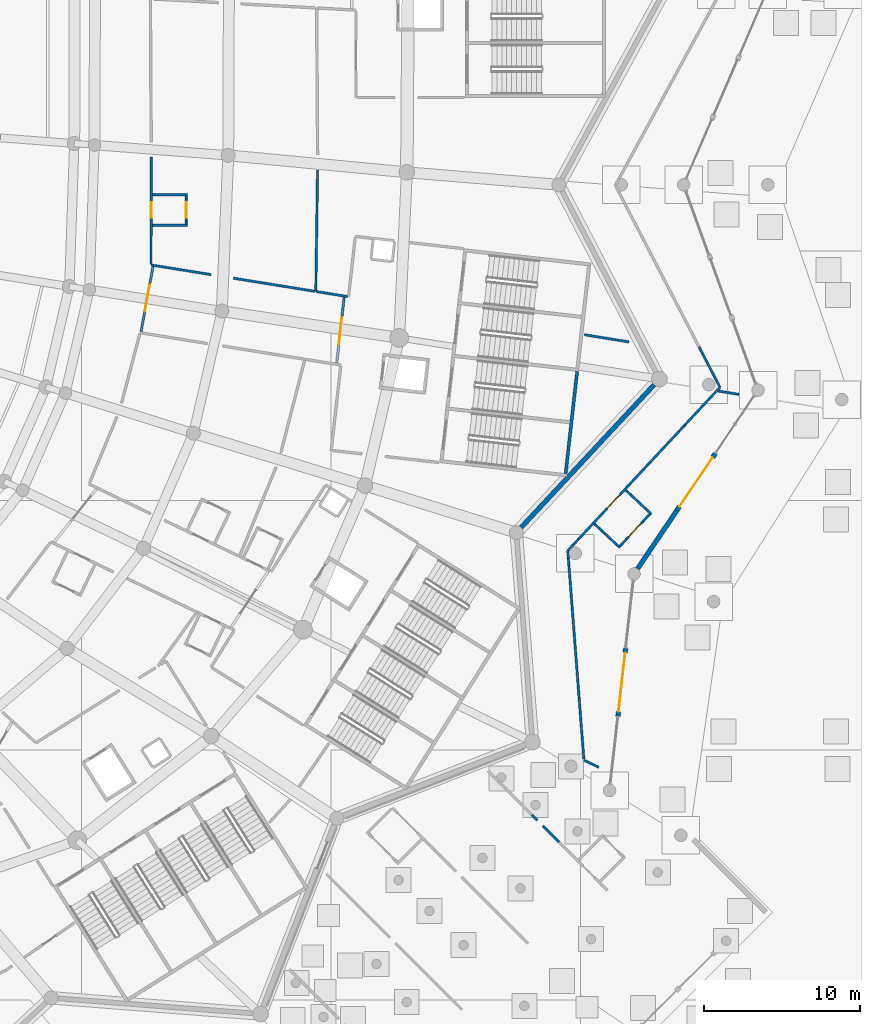
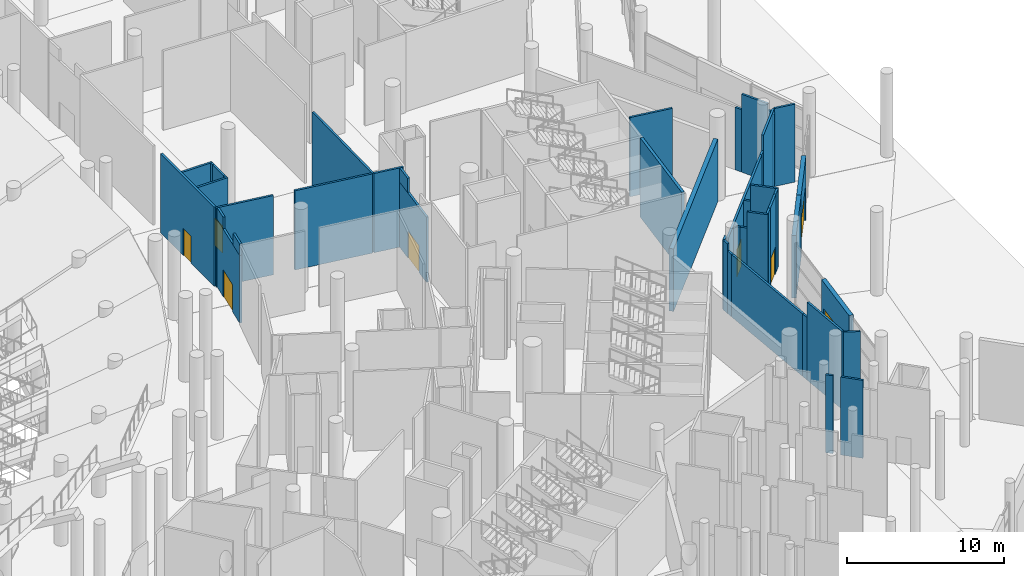
# One storey, part 127 of 255: 47 walls, 8 doors, 8 openings.
"""IFC4 building model written with IfcOpenShell, lengths in metres."""

from ifc_helpers import new_model, si_unit, direction, frame, frame_2d, origin, place, context, subcontext, project, spatial, rectangle, extrude, material, layer, layer_set, type_object, element, fill, save


model = new_model("IFC4")

# Units and contexts
model_context = context("Model", 3, precision=1e-05, world=origin(), true_north=direction((0.0, 1.0)))
body_context = subcontext(model_context, "Body", "Model", "MODEL_VIEW")
ifc_project = project(units=[si_unit("LENGTHUNIT", "METRE"), si_unit("AREAUNIT", "SQUARE_METRE"), si_unit("VOLUMEUNIT", "CUBIC_METRE"), si_unit("PLANEANGLEUNIT", "RADIAN"), si_unit("MASSUNIT", "GRAM", prefix="KILO")], contexts=[model_context])

# Site, building, storey
site_placement = place(None, origin())
site = spatial("IfcSite", under=ifc_project, at=site_placement, CompositionType="ELEMENT")
building_placement = place(site_placement, origin())
building = spatial("IfcBuilding", under=site, at=building_placement, Name="Meseta Stadium", CompositionType="ELEMENT")
storey_placement = place(building_placement, origin())
storey = spatial("IfcBuildingStorey", under=building, at=storey_placement, Name="L00", CompositionType="ELEMENT", Elevation=0.0)

# Walls
ifc_material_1 = material(Name="Concrete C40/50", Category="concrete")
ifc_layer_1 = layer(ifc_material_1, 0.199951171875)
ifc_layer_set_1 = layer_set([ifc_layer_1], Name="Core shaft wall 200")
wall_type_1 = type_object("IfcWallType", Name="Core shaft wall 200", PredefinedType="SHEAR", material=ifc_layer_set_1)
wall_1_placement = place(storey_placement, frame((95.034912109375, -62.267333984375, 0.0), z_axis=(0.0, 0.0, 1.0), x_axis=(0.111933579504, 0.993715690617, 0.0)))
element("IfcWall", 1, at=wall_1_placement, inside=storey, type_object=wall_type_1, Name="Core 01 L00 stair A outer end wall", PredefinedType="SHEAR", context=body_context, shape_type="SweptSolid", body=[
    extrude(rectangle(XDim=6.60009765625, YDim=0.199951171875, at=frame_2d((3.300048828125, 0.0))), origin(), (0.0, 0.0, 1.0), 6.14990234375),
])
ifc_material_2 = material(Name="Masonry blockwork", Category="masonry")
ifc_layer_2 = layer(ifc_material_2, 0.14990234375)
ifc_layer_set_2 = layer_set([ifc_layer_2], Name="Partition 150")
wall_type_2 = type_object("IfcWallType", Name="Partition 150", PredefinedType="PARTITIONING", material=ifc_layer_set_2)
wall_2_placement = place(storey_placement, frame((92.868408203125, -84.140625, 0.0), z_axis=(0.0, 0.0, 1.0), x_axis=(0.707353031131, -0.706860445455, 0.0)))
element("IfcWall", 2, at=wall_2_placement, inside=storey, type_object=wall_type_2, Name="Partition L00 G8-L00-3-EntranceHall-0", PredefinedType="PARTITIONING", context=body_context, shape_type="SweptSolid", body=[
    extrude(rectangle(XDim=0.49560546875, YDim=0.14990234375, at=frame_2d((0.247802734375, 0.0))), origin(), (0.0, 0.0, 1.0), 6.050048828125),
])
wall_3_placement = place(storey_placement, frame((93.58154296875, -84.853515625, 0.0), z_axis=(0.0, 0.0, 1.0), x_axis=(0.707106781187, -0.707106781187, 0.0)))
element("IfcWall", 3, at=wall_3_placement, inside=storey, type_object=wall_type_2, Name="Partition L00 G8-L00-3-EntranceHall-0", PredefinedType="PARTITIONING", context=body_context, shape_type="SweptSolid", body=[
    extrude(rectangle(XDim=1.457763671875, YDim=0.14990234375, at=frame_2d((0.72900390625, 0.0))), origin(), (0.0, 0.0, 1.0), 6.050048828125),
])
wall_4_placement = place(storey_placement, frame((79.130859375, -42.789794921875, 0.0), z_axis=(0.0, 0.0, 1.0), x_axis=(-0.014366063558, -0.999896802784, 0.0)))
element("IfcWall", 4, at=wall_4_placement, inside=storey, type_object=wall_type_2, Name="Partition L00 L00-cell00-1-0", PredefinedType="PARTITIONING", context=body_context, shape_type="SweptSolid", body=[
    extrude(rectangle(XDim=7.80029296875, YDim=0.14990234375, at=frame_2d((3.900146484375, 0.0))), origin(), (0.0, 0.0, 1.0), 6.14990234375),
])
wall_5_placement = place(storey_placement, frame((78.944091796875, -50.577392578125, 0.0), z_axis=(0.0, 0.0, 1.0), x_axis=(-0.987278649512, 0.158999585591, 0.0)))
element("IfcWall", 5, at=wall_5_placement, inside=storey, type_object=wall_type_2, Name="Partition L00 L00-cell00-1-0", PredefinedType="PARTITIONING", context=body_context, shape_type="SweptSolid", body=[
    extrude(rectangle(XDim=5.2744140625, YDim=0.14990234375, at=frame_2d((2.63720703125, 0.0))), origin(), (0.0, 0.0, 1.0), 6.14990234375),
])
wall_6_placement = place(storey_placement, frame((72.29638671875, -49.5068359375, 0.0), z_axis=(0.0, 0.0, 1.0), x_axis=(-0.987278004814, 0.159003588674, 0.0)))
element("IfcWall", 6, at=wall_6_placement, inside=storey, type_object=wall_type_2, Name="Partition L00 L00-cell00-1-0", PredefinedType="PARTITIONING", context=body_context, shape_type="SweptSolid", body=[
    extrude(rectangle(XDim=3.890869140625, YDim=0.14990234375, at=frame_2d((1.9453125, 0.0))), origin(), (0.0, 0.0, 1.0), 6.14990234375),
])

# Wall, opening, door
wall_7_placement = place(storey_placement, frame((68.455078125, -48.81201171875, 0.0), z_axis=(0.0, 0.0, 1.0), x_axis=(0.001928774496, 0.999998139913, 0.0)))
wall_7 = element("IfcWall", 7, at=wall_7_placement, inside=storey, type_object=wall_type_2, Name="Partition L00 L00-cell00-1-0", PredefinedType="PARTITIONING", context=body_context, shape_type="SweptSolid", body=[
    extrude(rectangle(XDim=6.835205078125, YDim=0.14990234375, at=frame_2d((3.41748046875, 0.0))), origin(), (0.0, 0.0, 1.0), 6.14990234375),
])
opening_1_placement = place(wall_7_placement, frame((2.949951171875, 0.0, 0.0)))
opening_1 = element("IfcOpeningElement", 8, at=opening_1_placement, cuts=wall_7, Name="Opening D535", PredefinedType="OPENING", context=body_context, shape_type="SweptSolid", body=[
    extrude(rectangle(XDim=1.0, YDim=2.10009765625, at=frame_2d((0.5, 1.050048828125))), frame((0.0, 0.0849609375, 0.0), z_axis=(0.0, -1.0, 0.0), x_axis=(1.0, 0.0, 0.0)), (0.0, 0.0, 1.0), 0.169921875),
])
ifc_material_3 = material(Name="Steel", Category="steel")
door_type_1 = type_object("IfcDoorType", Name="Fire door 1000x2100 EI2 60", OperationType="NOTDEFINED", PredefinedType="DOOR", material=ifc_material_3)
door_1_placement = place(opening_1_placement, origin())
door_1 = element("IfcDoor", 9, at=door_1_placement, inside=storey, type_object=door_type_1, Name="Door D535", OperationType="SINGLE_SWING_RIGHT", OverallHeight=2.10009765625, OverallWidth=1.0, PredefinedType="DOOR", context=body_context, shape_type="SweptSolid", body=[
    extrude(rectangle(XDim=1.0, YDim=2.10009765625, at=frame_2d((0.5, 1.050048828125))), frame((0.0, 0.02490234375, 0.0), z_axis=(0.0, -1.0, 0.0), x_axis=(1.0, 0.0, 0.0)), (0.0, 0.0, 1.0), 0.050048828125),
])
fill(opening_1, door_1)

# Walls
wall_8_placement = place(storey_placement, frame((81.042724609375, -50.915283203125, 0.0), z_axis=(0.0, 0.0, 1.0), x_axis=(-0.987289357967, 0.158933079139, 0.0)))
element("IfcWall", 10, at=wall_8_placement, inside=storey, type_object=wall_type_2, Name="Partition L00 L00-cell00-2-0", PredefinedType="PARTITIONING", context=body_context, shape_type="SweptSolid", body=[
    extrude(rectangle(XDim=2.0, YDim=0.14990234375, at=frame_2d((1.0, 0.0))), origin(), (0.0, 0.0, 1.0), 6.14990234375),
])
wall_9_placement = place(storey_placement, frame((99.100341796875, -53.82373046875, 0.0), z_axis=(0.0, 0.0, 1.0), x_axis=(-0.987267596089, 0.159068204593, 0.0)))
element("IfcWall", 11, at=wall_9_placement, inside=storey, type_object=wall_type_2, Name="Partition L00 L00-cell00-2-0", PredefinedType="PARTITIONING", context=body_context, shape_type="SweptSolid", body=[
    extrude(rectangle(XDim=2.897705078125, YDim=0.14990234375, at=frame_2d((1.44873046875, 0.0))), origin(), (0.0, 0.0, 1.0), 6.14990234375),
])
wall_10_placement = place(storey_placement, frame((106.161865234375, -57.189208984375, 0.0), z_axis=(0.0, 0.0, 1.0), x_axis=(-0.987301729771, 0.158856206652, 0.0)))
element("IfcWall", 12, at=wall_10_placement, inside=storey, type_object=wall_type_2, Name="Partition L00 L00-ring00-0", PredefinedType="PARTITIONING", context=body_context, shape_type="SweptSolid", body=[
    extrude(rectangle(XDim=1.40771484375, YDim=0.14990234375, at=frame_2d((0.703857421875, 0.0))), origin(), (0.0, 0.0, 1.0), 6.050048828125),
])
wall_11_placement = place(storey_placement, frame((104.72265625, -56.95751953125, 0.0), z_axis=(0.0, 0.0, 1.0), x_axis=(0.681890899373, 0.731453895576, 0.0)))
element("IfcWall", 13, at=wall_11_placement, inside=storey, type_object=wall_type_2, Name="Partition L00 L00-ring00-0", PredefinedType="PARTITIONING", context=body_context, shape_type="SweptSolid", body=[
    extrude(rectangle(XDim=0.305419921875, YDim=0.14990234375, at=frame_2d((0.15283203125, 0.0))), origin(), (0.0, 0.0, 1.0), 5.550048828125),
])
wall_12_placement = place(storey_placement, frame((104.930908203125, -56.734130859375, 0.0), z_axis=(0.0, 0.0, 1.0), x_axis=(-0.460023957555, 0.887906503228, 0.0)))
element("IfcWall", 14, at=wall_12_placement, inside=storey, type_object=wall_type_2, Name="Partition L00 L00-ring00-0", PredefinedType="PARTITIONING", context=body_context, shape_type="SweptSolid", body=[
    extrude(rectangle(XDim=0.486083984375, YDim=0.14990234375, at=frame_2d((0.2431640625, 0.0))), origin(), (0.0, 0.0, 1.0), 5.550048828125),
])
wall_13_placement = place(storey_placement, frame((104.707275390625, -56.302490234375, 0.0), z_axis=(0.0, 0.0, 1.0), x_axis=(-0.459976248991, 0.887931219388, 0.0)))
element("IfcWall", 15, at=wall_13_placement, inside=storey, type_object=wall_type_2, Name="Partition L00 L00-ring00-0", PredefinedType="PARTITIONING", context=body_context, shape_type="SweptSolid", body=[
    extrude(rectangle(XDim=1.944091796875, YDim=0.14990234375, at=frame_2d((0.97216796875, 0.0))), origin(), (0.0, 0.0, 1.0), 6.050048828125),
])
wall_14_placement = place(storey_placement, frame((103.81298828125, -54.576171875, 0.0), z_axis=(0.0, 0.0, 1.0), x_axis=(-0.460023957555, 0.887906503228, 0.0)))
element("IfcWall", 16, at=wall_14_placement, inside=storey, type_object=wall_type_2, Name="Partition L00 L00-ring00-0", PredefinedType="PARTITIONING", context=body_context, shape_type="SweptSolid", body=[
    extrude(rectangle(XDim=0.486083984375, YDim=0.14990234375, at=frame_2d((0.2431640625, 0.0))), origin(), (0.0, 0.0, 1.0), 4.85009765625),
])
wall_15_placement = place(storey_placement, frame((97.164306640625, -81.096923828125, 0.0), z_axis=(0.0, 0.0, 1.0), x_axis=(-0.901131483402, 0.433545902555, 0.0)))
element("IfcWall", 17, at=wall_15_placement, inside=storey, type_object=wall_type_2, Name="Partition L00 L00-ring27-0", PredefinedType="PARTITIONING", context=body_context, shape_type="SweptSolid", body=[
    extrude(rectangle(XDim=1.0615234375, YDim=0.14990234375, at=frame_2d((0.53076171875, 0.0))), origin(), (0.0, 0.0, 1.0), 6.050048828125),
])
wall_16_placement = place(storey_placement, frame((96.201171875, -80.55029296875, 0.0), z_axis=(0.0, 0.0, 1.0), x_axis=(-0.076969034149, 0.997033483782, 0.0)))
element("IfcWall", 18, at=wall_16_placement, inside=storey, type_object=wall_type_2, Name="Partition L00 L00-ring27-0", PredefinedType="PARTITIONING", context=body_context, shape_type="SweptSolid", body=[
    extrude(rectangle(XDim=3.904541015625, YDim=0.14990234375, at=frame_2d((1.9521484375, 0.0))), origin(), (0.0, 0.0, 1.0), 6.050048828125),
])
wall_17_placement = place(storey_placement, frame((95.900634765625, -76.6572265625, 0.0), z_axis=(0.0, 0.0, 1.0), x_axis=(-0.076846217139, 0.997042957405, 0.0)))
element("IfcWall", 19, at=wall_17_placement, inside=storey, type_object=wall_type_2, Name="Partition L00 L00-ring27-0", PredefinedType="PARTITIONING", context=body_context, shape_type="SweptSolid", body=[
    extrude(rectangle(XDim=0.498779296875, YDim=0.14990234375, at=frame_2d((0.24951171875, 0.0))), origin(), (0.0, 0.0, 1.0), 4.85009765625),
])
wall_18_placement = place(storey_placement, frame((95.8623046875, -76.159912109375, 0.0), z_axis=(0.0, 0.0, 1.0), x_axis=(-0.076946737073, 0.997035204822, 0.0)))
element("IfcWall", 20, at=wall_18_placement, inside=storey, type_object=wall_type_2, Name="Partition L00 L00-ring27-0", PredefinedType="PARTITIONING", context=body_context, shape_type="SweptSolid", body=[
    extrude(rectangle(XDim=7.98291015625, YDim=0.14990234375, at=frame_2d((3.991455078125, 0.0))), origin(), (0.0, 0.0, 1.0), 4.85009765625),
])
wall_19_placement = place(storey_placement, frame((95.248046875, -68.20068359375, 0.0), z_axis=(0.0, 0.0, 1.0), x_axis=(-0.076808732966, 0.997045845756, 0.0)))
element("IfcWall", 21, at=wall_19_placement, inside=storey, type_object=wall_type_2, Name="Partition L00 L00-ring27-0", PredefinedType="PARTITIONING", context=body_context, shape_type="SweptSolid", body=[
    extrude(rectangle(XDim=0.4990234375, YDim=0.14990234375, at=frame_2d((0.24951171875, 0.0))), origin(), (0.0, 0.0, 1.0), 4.85009765625),
])
wall_20_placement = place(storey_placement, frame((95.209716796875, -67.703125, 0.0), z_axis=(0.0, 0.0, 1.0), x_axis=(-0.076846217139, 0.997042957405, 0.0)))
element("IfcWall", 22, at=wall_20_placement, inside=storey, type_object=wall_type_2, Name="Partition L00 L00-ring27-0", PredefinedType="PARTITIONING", context=body_context, shape_type="SweptSolid", body=[
    extrude(rectangle(XDim=0.498779296875, YDim=0.14990234375, at=frame_2d((0.24951171875, 0.0))), origin(), (0.0, 0.0, 1.0), 5.39990234375),
])
wall_21_placement = place(storey_placement, frame((95.17138671875, -67.205810546875, 0.0), z_axis=(0.0, 0.0, 1.0), x_axis=(0.681689854428, 0.731641266175, 0.0)))
element("IfcWall", 23, at=wall_21_placement, inside=storey, type_object=wall_type_2, Name="Partition L00 L00-ring27-0", PredefinedType="PARTITIONING", context=body_context, shape_type="SweptSolid", body=[
    extrude(rectangle(XDim=0.49853515625, YDim=0.14990234375, at=frame_2d((0.249267578125, 0.0))), origin(), (0.0, 0.0, 1.0), 5.39990234375),
])
wall_22_placement = place(storey_placement, frame((95.51123046875, -66.841064453125, 0.0), z_axis=(0.0, 0.0, 1.0), x_axis=(0.681689854428, 0.731641266175, 0.0)))
element("IfcWall", 24, at=wall_22_placement, inside=storey, type_object=wall_type_2, Name="Partition L00 L00-ring27-0", PredefinedType="PARTITIONING", context=body_context, shape_type="SweptSolid", body=[
    extrude(rectangle(XDim=0.49853515625, YDim=0.14990234375, at=frame_2d((0.249267578125, 0.0))), origin(), (0.0, 0.0, 1.0), 4.85009765625),
])

# Wall, opening, door
wall_23_placement = place(storey_placement, frame((95.85107421875, -66.476318359375, 0.0), z_axis=(0.0, 0.0, 1.0), x_axis=(0.681796457286, 0.731541926913, 0.0)))
wall_23 = element("IfcWall", 25, at=wall_23_placement, inside=storey, type_object=wall_type_2, Name="Partition L00 L00-ring27-0", PredefinedType="PARTITIONING", context=body_context, shape_type="SweptSolid", body=[
    extrude(rectangle(XDim=9.47216796875, YDim=0.14990234375, at=frame_2d((4.736083984375, 0.0))), origin(), (0.0, 0.0, 1.0), 4.85009765625),
])
opening_2_placement = place(wall_23_placement, frame((2.699951171875, 0.0, 0.0)))
opening_2 = element("IfcOpeningElement", 26, at=opening_2_placement, cuts=wall_23, Name="Opening D638", PredefinedType="OPENING", context=body_context, shape_type="SweptSolid", body=[
    extrude(rectangle(XDim=1.199951171875, YDim=2.10009765625, at=frame_2d((0.60009765625, 1.050048828125))), frame((0.0, 0.0849609375, 0.0), z_axis=(0.0, -1.0, 0.0), x_axis=(1.0, 0.0, 0.0)), (0.0, 0.0, 1.0), 0.169921875),
])
ifc_material_4 = material(Name="Steel", Category="steel")
door_type_2 = type_object("IfcDoorType", Name="Fire door 1200x2100 EI2 60", OperationType="NOTDEFINED", PredefinedType="DOOR", material=ifc_material_4)
door_2_placement = place(opening_2_placement, origin())
door_2 = element("IfcDoor", 27, at=door_2_placement, inside=storey, type_object=door_type_2, Name="Door D638", OperationType="SINGLE_SWING_LEFT", OverallHeight=2.10009765625, OverallWidth=1.199951171875, PredefinedType="DOOR", context=body_context, shape_type="SweptSolid", body=[
    extrude(rectangle(XDim=1.199951171875, YDim=2.10009765625, at=frame_2d((0.60009765625, 1.050048828125))), frame((0.0, 0.02490234375, 0.0), z_axis=(0.0, -1.0, 0.0), x_axis=(1.0, 0.0, 0.0)), (0.0, 0.0, 1.0), 0.050048828125),
])
fill(opening_2, door_2)

# Walls
wall_24_placement = place(storey_placement, frame((102.30908203125, -59.547119140625, 0.0), z_axis=(0.0, 0.0, 1.0), x_axis=(0.681951869648, 0.73139705187, 0.0)))
element("IfcWall", 28, at=wall_24_placement, inside=storey, type_object=wall_type_2, Name="Partition L00 L00-ring27-0", PredefinedType="PARTITIONING", context=body_context, shape_type="SweptSolid", body=[
    extrude(rectangle(XDim=0.498779296875, YDim=0.14990234375, at=frame_2d((0.24951171875, 0.0))), origin(), (0.0, 0.0, 1.0), 4.85009765625),
])
wall_25_placement = place(storey_placement, frame((102.649169921875, -59.182373046875, 0.0), z_axis=(0.0, 0.0, 1.0), x_axis=(0.681774249461, 0.731562623958, 0.0)))
element("IfcWall", 29, at=wall_25_placement, inside=storey, type_object=wall_type_2, Name="Partition L00 L00-ring27-0", PredefinedType="PARTITIONING", context=body_context, shape_type="SweptSolid", body=[
    extrude(rectangle(XDim=2.9912109375, YDim=0.14990234375, at=frame_2d((1.49560546875, 0.0))), origin(), (0.0, 0.0, 1.0), 6.050048828125),
])
for number, where, z_axis, x_axis, name in (
    (30, (68.534912109375, -46.337158203125, 0.0), (0.0, 0.0, 1.0), (0.999998092657, -0.001953121275, 0.0), "Partition L00 L00-cell00-1-0 vestibule"),
    (31, (68.53857421875, -44.38720703125, 0.0), (0.0, 0.0, 1.0), (0.999998092657, -0.001953121275, 0.0), "Partition L00 L00-cell00-1-0 vestibule"),
):
    element("IfcWall", number, at=place(storey_placement, frame(where, z_axis=z_axis, x_axis=x_axis)), inside=storey, type_object=wall_type_2, Name=name, PredefinedType="PARTITIONING", context=body_context, shape_type="SweptSolid", body=[
        extrude(rectangle(XDim=2.25, YDim=0.14990234375, at=frame_2d((1.125, 0.0))), origin(), (0.0, 0.0, 1.0), 6.14990234375),
    ])
wall_26_placement = place(storey_placement, frame((70.7099609375, -46.266357421875, 0.0), z_axis=(0.0, 0.0, 1.0), x_axis=(0.002441995161, 0.999997018325, 0.0)))
element("IfcWall", 32, at=wall_26_placement, inside=storey, type_object=wall_type_2, Name="Partition L00 L00-cell00-1-0 vestibule", PredefinedType="PARTITIONING", context=body_context, shape_type="SweptSolid", body=[
    extrude(rectangle(XDim=0.199951171875, YDim=0.14990234375, at=frame_2d((0.10009765625, 0.0))), origin(), (0.0, 0.0, 1.0), 6.14990234375),
])

# Wall, opening, door
wall_27_placement = place(storey_placement, frame((70.71044921875, -46.06640625, 0.0), z_axis=(0.0, 0.0, 1.0), x_axis=(0.001918378054, 0.999998159911, 0.0)))
wall_27 = element("IfcWall", 33, at=wall_27_placement, inside=storey, type_object=wall_type_2, Name="Partition L00 L00-cell00-1-0 vestibule", PredefinedType="PARTITIONING", context=body_context, shape_type="SweptSolid", body=[
    extrude(rectangle(XDim=1.39990234375, YDim=0.14990234375, at=frame_2d((0.699951171875, 0.0))), origin(), (0.0, 0.0, 1.0), 6.14990234375),
])
opening_3_placement = place(wall_27_placement, frame((0.199951171875, 0.0, 0.0)))
opening_3 = element("IfcOpeningElement", 34, at=opening_3_placement, cuts=wall_27, Name="Opening D819", PredefinedType="OPENING", context=body_context, shape_type="SweptSolid", body=[
    extrude(rectangle(XDim=1.0, YDim=2.10009765625, at=frame_2d((0.5, 1.050048828125))), frame((0.0, 0.0849609375, 0.0), z_axis=(0.0, -1.0, 0.0), x_axis=(1.0, 0.0, 0.0)), (0.0, 0.0, 1.0), 0.169921875),
])
door_3_placement = place(opening_3_placement, origin())
door_3 = element("IfcDoor", 35, at=door_3_placement, inside=storey, type_object=door_type_1, Name="Vestibule door L00 L00-cell00-1-0", OperationType="SINGLE_SWING_RIGHT", OverallHeight=2.10009765625, OverallWidth=1.0, PredefinedType="DOOR", context=body_context, shape_type="SweptSolid", body=[
    extrude(rectangle(XDim=1.0, YDim=2.10009765625, at=frame_2d((0.5, 1.050048828125))), frame((0.0, 0.02490234375, 0.0), z_axis=(0.0, -1.0, 0.0), x_axis=(1.0, 0.0, 0.0)), (0.0, 0.0, 1.0), 0.050048828125),
])
fill(opening_3, door_3)

# Walls
wall_28_placement = place(storey_placement, frame((70.713134765625, -44.66650390625, 0.0), z_axis=(0.0, 0.0, 1.0), x_axis=(0.001221000311, 0.999999254579, 0.0)))
element("IfcWall", 36, at=wall_28_placement, inside=storey, type_object=wall_type_2, Name="Partition L00 L00-cell00-1-0 vestibule", PredefinedType="PARTITIONING", context=body_context, shape_type="SweptSolid", body=[
    extrude(rectangle(XDim=0.199951171875, YDim=0.14990234375, at=frame_2d((0.10009765625, 0.0))), origin(), (0.0, 0.0, 1.0), 6.14990234375),
])
wall_29_placement = place(storey_placement, frame((96.87744140625, -65.485107421875, 0.0), z_axis=(0.0, 0.0, 1.0), x_axis=(0.731614107718, -0.68171900178, 0.0)))
element("IfcWall", 37, at=wall_29_placement, inside=storey, type_object=wall_type_2, Name="Partition L00 L00-ring27-0 vestibule", PredefinedType="PARTITIONING", context=body_context, shape_type="SweptSolid", body=[
    extrude(rectangle(XDim=0.4501953125, YDim=0.14990234375, at=frame_2d((0.22509765625, 0.0))), origin(), (0.0, 0.0, 1.0), 4.85009765625),
])
wall_30_placement = place(storey_placement, frame((97.206787109375, -65.7919921875, 0.0), z_axis=(0.0, 0.0, 1.0), x_axis=(0.731632568928, -0.681699188853, 0.0)))
element("IfcWall", 38, at=wall_30_placement, inside=storey, type_object=wall_type_2, Name="Partition L00 L00-ring27-0 vestibule", PredefinedType="PARTITIONING", context=body_context, shape_type="SweptSolid", body=[
    extrude(rectangle(XDim=0.44970703125, YDim=0.14990234375, at=frame_2d((0.224853515625, 0.0))), origin(), (0.0, 0.0, 1.0), 4.85009765625),
])
wall_31_placement = place(storey_placement, frame((97.535888671875, -66.0986328125, 0.0), z_axis=(0.0, 0.0, 1.0), x_axis=(0.731536206298, -0.681802595239, 0.0)))
element("IfcWall", 39, at=wall_31_placement, inside=storey, type_object=wall_type_2, Name="Partition L00 L00-ring27-0 vestibule", PredefinedType="PARTITIONING", context=body_context, shape_type="SweptSolid", body=[
    extrude(rectangle(XDim=1.349853515625, YDim=0.14990234375, at=frame_2d((0.6748046875, 0.0))), origin(), (0.0, 0.0, 1.0), 6.10009765625),
])
wall_32_placement = place(storey_placement, frame((98.888916015625, -63.326904296875, 0.0), z_axis=(0.0, 0.0, 1.0), x_axis=(0.731361911, -0.681989556474, 0.0)))
element("IfcWall", 40, at=wall_32_placement, inside=storey, type_object=wall_type_2, Name="Partition L00 L00-ring27-0 vestibule", PredefinedType="PARTITIONING", context=body_context, shape_type="SweptSolid", body=[
    extrude(rectangle(XDim=0.449951171875, YDim=0.14990234375, at=frame_2d((0.22509765625, 0.0))), origin(), (0.0, 0.0, 1.0), 4.85009765625),
])
wall_33_placement = place(storey_placement, frame((99.218017578125, -63.6337890625, 0.0), z_axis=(0.0, 0.0, 1.0), x_axis=(0.731555688214, -0.68178169163, 0.0)))
element("IfcWall", 41, at=wall_33_placement, inside=storey, type_object=wall_type_2, Name="Partition L00 L00-ring27-0 vestibule", PredefinedType="PARTITIONING", context=body_context, shape_type="SweptSolid", body=[
    extrude(rectangle(XDim=1.800048828125, YDim=0.14990234375, at=frame_2d((0.89990234375, 0.0))), origin(), (0.0, 0.0, 1.0), 6.10009765625),
])
wall_34_placement = place(storey_placement, frame((98.519775390625, -66.9130859375, 0.0), z_axis=(0.0, 0.0, 1.0), x_axis=(0.681636486585, 0.731690986794, 0.0)))
element("IfcWall", 42, at=wall_34_placement, inside=storey, type_object=wall_type_2, Name="Partition L00 L00-ring27-0 vestibule", PredefinedType="PARTITIONING", context=body_context, shape_type="SweptSolid", body=[
    extrude(rectangle(XDim=0.599853515625, YDim=0.14990234375, at=frame_2d((0.2998046875, 0.0))), origin(), (0.0, 0.0, 1.0), 6.10009765625),
])

# Wall, opening, door
wall_35_placement = place(storey_placement, frame((98.9287109375, -66.47412109375, 0.0), z_axis=(0.0, 0.0, 1.0), x_axis=(0.681877784322, 0.731466121736, 0.0)))
wall_35 = element("IfcWall", 43, at=wall_35_placement, inside=storey, type_object=wall_type_2, Name="Partition L00 L00-ring27-0 vestibule", PredefinedType="PARTITIONING", context=body_context, shape_type="SweptSolid", body=[
    extrude(rectangle(XDim=1.60009765625, YDim=0.14990234375, at=frame_2d((0.800048828125, 0.0))), origin(), (0.0, 0.0, 1.0), 6.10009765625),
])
opening_4_placement = place(wall_35_placement, frame((0.199951171875, 0.0, 0.0)))
opening_4 = element("IfcOpeningElement", 44, at=opening_4_placement, cuts=wall_35, Name="Opening D885", PredefinedType="OPENING", context=body_context, shape_type="SweptSolid", body=[
    extrude(rectangle(XDim=1.199951171875, YDim=2.10009765625, at=frame_2d((0.60009765625, 1.050048828125))), frame((0.0, 0.0849609375, 0.0), z_axis=(0.0, -1.0, 0.0), x_axis=(1.0, 0.0, 0.0)), (0.0, 0.0, 1.0), 0.169921875),
])
door_4_placement = place(opening_4_placement, origin())
door_4 = element("IfcDoor", 45, at=door_4_placement, inside=storey, type_object=door_type_2, Name="Vestibule door L00 L00-ring27-0", OperationType="SINGLE_SWING_RIGHT", OverallHeight=2.10009765625, OverallWidth=1.199951171875, PredefinedType="DOOR", context=body_context, shape_type="SweptSolid", body=[
    extrude(rectangle(XDim=1.199951171875, YDim=2.10009765625, at=frame_2d((0.60009765625, 1.050048828125))), frame((0.0, 0.02490234375, 0.0), z_axis=(0.0, -1.0, 0.0), x_axis=(1.0, 0.0, 0.0)), (0.0, 0.0, 1.0), 0.050048828125),
])
fill(opening_4, door_4)

# Wall
wall_36_placement = place(storey_placement, frame((100.019775390625, -65.3037109375, 0.0), z_axis=(0.0, 0.0, 1.0), x_axis=(0.681636486585, 0.731690986794, 0.0)))
element("IfcWall", 46, at=wall_36_placement, inside=storey, type_object=wall_type_2, Name="Partition L00 L00-ring27-0 vestibule", PredefinedType="PARTITIONING", context=body_context, shape_type="SweptSolid", body=[
    extrude(rectangle(XDim=0.599853515625, YDim=0.14990234375, at=frame_2d((0.2998046875, 0.0))), origin(), (0.0, 0.0, 1.0), 6.10009765625),
])

# Wall, opening, door
wall_37_placement = place(storey_placement, frame((80.36083984375, -55.181640625, 0.0), z_axis=(0.0, 0.0, 1.0), x_axis=(0.11195873686, 0.993712856534, 0.0)))
wall_37 = element("IfcWall", 47, at=wall_37_placement, inside=storey, type_object=wall_type_2, Name="Escape corridor sector wall L00 core 01", PredefinedType="PARTITIONING", context=body_context, shape_type="SweptSolid", body=[
    extrude(rectangle(XDim=4.24560546875, YDim=0.14990234375, at=frame_2d((2.122802734375, 0.0))), origin(), (0.0, 0.0, 1.0), 5.050048828125),
])
opening_5_placement = place(wall_37_placement, frame((1.14990234375, 0.0, 0.0)))
opening_5 = element("IfcOpeningElement", 48, at=opening_5_placement, cuts=wall_37, Name="Opening D405", PredefinedType="OPENING", context=body_context, shape_type="SweptSolid", body=[
    extrude(rectangle(XDim=1.800048828125, YDim=2.10009765625, at=frame_2d((0.89990234375, 1.050048828125))), frame((0.0, 0.0849609375, 0.0), z_axis=(0.0, -1.0, 0.0), x_axis=(1.0, 0.0, 0.0)), (0.0, 0.0, 1.0), 0.169921875),
])
ifc_material_5 = material(Name="Steel", Category="steel")
door_type_3 = type_object("IfcDoorType", Name="Fire double door 1800x2100 EI2 60", OperationType="DOUBLE_DOOR_SINGLE_SWING", PredefinedType="DOOR", material=ifc_material_5)
door_5_placement = place(opening_5_placement, origin())
door_5 = element("IfcDoor", 49, at=door_5_placement, inside=storey, type_object=door_type_3, Name="Escape corridor door EC01-1", OperationType="DOUBLE_DOOR_SINGLE_SWING", OverallHeight=2.10009765625, OverallWidth=1.800048828125, PredefinedType="DOOR", context=body_context, shape_type="SweptSolid", body=[
    extrude(rectangle(XDim=1.800048828125, YDim=2.10009765625, at=frame_2d((0.89990234375, 1.050048828125))), frame((0.0, 0.02490234375, 0.0), z_axis=(0.0, -1.0, 0.0), x_axis=(1.0, 0.0, 0.0)), (0.0, 0.0, 1.0), 0.050048828125),
])
fill(opening_5, door_5)

# Wall
wall_38_placement = place(storey_placement, frame((80.69677734375, -52.20068359375, 5.050048828125), z_axis=(0.0, 0.0, 1.0), x_axis=(0.111893947534, 0.99372015402, 0.0)))
element("IfcWall", 50, at=wall_38_placement, inside=storey, type_object=wall_type_2, Name="Escape corridor sector wall L00 core 01", PredefinedType="PARTITIONING", context=body_context, shape_type="SweptSolid", body=[
    extrude(rectangle(XDim=1.245849609375, YDim=0.14990234375, at=frame_2d((0.623046875, 0.0))), origin(), (0.0, 0.0, 1.0), 1.099853515625),
])

# Wall, opening, door
wall_39_placement = place(storey_placement, frame((67.815185546875, -53.1630859375, 0.0), z_axis=(0.0, 0.0, 1.0), x_axis=(0.180787745221, 0.983522135581, 0.0)))
wall_39 = element("IfcWall", 51, at=wall_39_placement, inside=storey, type_object=wall_type_2, Name="Escape corridor discharge wall L00 core 01", PredefinedType="PARTITIONING", context=body_context, shape_type="SweptSolid", body=[
    extrude(rectangle(XDim=4.245849609375, YDim=0.14990234375, at=frame_2d((2.123046875, 0.0))), origin(), (0.0, 0.0, 1.0), 5.25),
])
opening_6_placement = place(wall_39_placement, frame((1.295654296875, 0.0, 0.0)))
opening_6 = element("IfcOpeningElement", 52, at=opening_6_placement, cuts=wall_39, Name="Opening D377", PredefinedType="OPENING", context=body_context, shape_type="SweptSolid", body=[
    extrude(rectangle(XDim=1.800048828125, YDim=2.10009765625, at=frame_2d((0.89990234375, 1.050048828125))), frame((0.0, 0.0849609375, 0.0), z_axis=(0.0, -1.0, 0.0), x_axis=(1.0, 0.0, 0.0)), (0.0, 0.0, 1.0), 0.169921875),
])
door_6_placement = place(opening_6_placement, origin())
door_6 = element("IfcDoor", 53, at=door_6_placement, inside=storey, type_object=door_type_3, Name="Stair discharge door SD01-1", OperationType="DOUBLE_DOOR_SINGLE_SWING", OverallHeight=2.10009765625, OverallWidth=1.800048828125, PredefinedType="DOOR", context=body_context, shape_type="SweptSolid", body=[
    extrude(rectangle(XDim=1.800048828125, YDim=2.10009765625, at=frame_2d((0.89990234375, 1.050048828125))), frame((0.0, 0.02490234375, 0.0), z_axis=(0.0, -1.0, 0.0), x_axis=(1.0, 0.0, 0.0)), (0.0, 0.0, 1.0), 0.050048828125),
])
fill(opening_6, door_6)

# Walls
wall_40_placement = place(storey_placement, frame((68.3837890625, -50.0693359375, 5.25), z_axis=(0.0, 0.0, 1.0), x_axis=(0.180857423265, 0.983509325045, 0.0)))
element("IfcWall", 54, at=wall_40_placement, inside=storey, type_object=wall_type_2, Name="Escape corridor discharge wall L00 core 01", PredefinedType="PARTITIONING", context=body_context, shape_type="SweptSolid", body=[
    extrude(rectangle(XDim=1.10009765625, YDim=0.14990234375, at=frame_2d((0.550048828125, 0.0))), origin(), (0.0, 0.0, 1.0), 0.89990234375),
])
wall_41_placement = place(storey_placement, frame((67.815185546875, -53.1630859375, 5.25), z_axis=(0.0, 0.0, 1.0), x_axis=(0.180713431823, 0.983535792719, 0.0)))
element("IfcWall", 55, at=wall_41_placement, inside=storey, type_object=wall_type_2, Name="Escape corridor discharge wall L00 core 01", PredefinedType="PARTITIONING", context=body_context, shape_type="SweptSolid", body=[
    extrude(rectangle(XDim=1.24560546875, YDim=0.14990234375, at=frame_2d((0.622802734375, 0.0))), origin(), (0.0, 0.0, 1.0), 0.89990234375),
])
ifc_material_6 = material(Name="White precast concrete C40/50", Category="concrete")
ifc_layer_3 = layer(ifc_material_6, 0.300048828125)
ifc_layer_set_3 = layer_set([ifc_layer_3], Name="Pleated panel wall 300 concourse")
wall_type_3 = type_object("IfcWallType", Name="Pleated panel wall 300 concourse", PredefinedType="SOLIDWALL", material=ifc_layer_set_3)
wall_42_placement = place(storey_placement, frame((100.711181640625, -56.568115234375, 0.0), z_axis=(0.0, 0.0, 1.0), x_axis=(-0.681794658463, -0.731543603411, 0.0)))
element("IfcWall", 56, at=wall_42_placement, inside=storey, type_object=wall_type_3, Name="Pleated facade panel L00 F55", PredefinedType="SOLIDWALL", context=body_context, shape_type="SweptSolid", body=[
    extrude(rectangle(XDim=12.513916015625, YDim=0.300048828125, at=frame_2d((6.2568359375, 0.0))), origin(), (0.0, 0.0, 1.0), 4.85009765625),
])

# Wall, opening, door
ifc_material_7 = material(Name="Precast concrete C40/50", Category="concrete")
ifc_layer_4 = layer(ifc_material_7, 0.300048828125)
ifc_layer_set_4 = layer_set([ifc_layer_4], Name="Ring facade panel wall 300")
wall_type_4 = type_object("IfcWallType", Name="Ring facade panel wall 300", PredefinedType="SOLIDWALL", material=ifc_layer_set_4)
wall_43_placement = place(storey_placement, frame((98.88525390625, -73.451171875, 0.0), z_axis=(0.0, 0.0, 1.0), x_axis=(-0.112471442865, -0.993654957488, 0.0)))
wall_43 = element("IfcWall", 57, at=wall_43_placement, inside=storey, type_object=wall_type_4, Name="Ring facade panel wall F54", PredefinedType="SOLIDWALL", context=body_context, shape_type="SweptSolid", body=[
    extrude(rectangle(XDim=4.39990234375, YDim=0.300048828125, at=frame_2d((2.199951171875, 0.0))), origin(), (0.0, 0.0, 1.0), 4.85009765625),
])
opening_7_placement = place(wall_43_placement, frame((0.300048828125, 0.0, 0.0)))
opening_7 = element("IfcOpeningElement", 58, at=opening_7_placement, cuts=wall_43, Name="Opening D970", PredefinedType="OPENING", context=body_context, shape_type="SweptSolid", body=[
    extrude(rectangle(XDim=3.800048828125, YDim=2.800048828125, at=frame_2d((1.89990234375, 1.39990234375))), frame((0.0, 0.159912109375, 0.0), z_axis=(0.0, -1.0, 0.0), x_axis=(1.0, 0.0, 0.0)), (0.0, 0.0, 1.0), 0.320068359375),
])
ifc_material_8 = material(Name="Steel", Category="steel")
door_type_4 = type_object("IfcDoorType", Name="Final exit door 3800x2800", OperationType="DOUBLE_DOOR_SINGLE_SWING", PredefinedType="DOOR", material=ifc_material_8)
door_7_placement = place(opening_7_placement, origin())
door_7 = element("IfcDoor", 59, at=door_7_placement, inside=storey, type_object=door_type_4, Name="Final exit F35", OperationType="DOUBLE_DOOR_SINGLE_SWING", OverallHeight=2.800048828125, OverallWidth=3.800048828125, PredefinedType="DOOR", context=body_context, shape_type="SweptSolid", body=[
    extrude(rectangle(XDim=3.800048828125, YDim=2.800048828125, at=frame_2d((1.89990234375, 1.39990234375))), frame((0.0, 0.02490234375, 0.0), z_axis=(0.0, -1.0, 0.0), x_axis=(1.0, 0.0, 0.0)), (0.0, 0.0, 1.0), 0.050048828125),
])
fill(opening_7, door_7)

wall_44_placement = place(storey_placement, frame((104.628662109375, -60.980712890625, 0.0), z_axis=(0.0, 0.0, 1.0), x_axis=(-0.559365163907, -0.828921355382, 0.0)))
wall_44 = element("IfcWall", 60, at=wall_44_placement, inside=storey, type_object=wall_type_4, Name="Ring facade panel wall F55", PredefinedType="SOLIDWALL", context=body_context, shape_type="SweptSolid", body=[
    extrude(rectangle(XDim=4.39990234375, YDim=0.300048828125, at=frame_2d((2.199951171875, 0.0))), origin(), (0.0, 0.0, 1.0), 4.85009765625),
])
opening_8_placement = place(wall_44_placement, frame((0.300048828125, 0.0, 0.0)))
opening_8 = element("IfcOpeningElement", 61, at=opening_8_placement, cuts=wall_44, Name="Opening D971", PredefinedType="OPENING", context=body_context, shape_type="SweptSolid", body=[
    extrude(rectangle(XDim=3.800048828125, YDim=2.800048828125, at=frame_2d((1.89990234375, 1.39990234375))), frame((0.0, 0.159912109375, 0.0), z_axis=(0.0, -1.0, 0.0), x_axis=(1.0, 0.0, 0.0)), (0.0, 0.0, 1.0), 0.320068359375),
])
door_8_placement = place(opening_8_placement, origin())
door_8 = element("IfcDoor", 62, at=door_8_placement, inside=storey, type_object=door_type_4, Name="Final exit F36", OperationType="DOUBLE_DOOR_SINGLE_SWING", OverallHeight=2.800048828125, OverallWidth=3.800048828125, PredefinedType="DOOR", context=body_context, shape_type="SweptSolid", body=[
    extrude(rectangle(XDim=3.800048828125, YDim=2.800048828125, at=frame_2d((1.89990234375, 1.39990234375))), frame((0.0, 0.02490234375, 0.0), z_axis=(0.0, -1.0, 0.0), x_axis=(1.0, 0.0, 0.0)), (0.0, 0.0, 1.0), 0.050048828125),
])
fill(opening_8, door_8)

# Wall
wall_45_placement = place(storey_placement, frame((102.16748046875, -64.6279296875, 0.0), z_axis=(0.0, 0.0, 1.0), x_axis=(-0.55936860857, -0.828919030875, 0.0)))
element("IfcWall", 63, at=wall_45_placement, inside=storey, type_object=wall_type_4, Name="Ring store panel wall F55a", PredefinedType="SOLIDWALL", context=body_context, shape_type="SweptSolid", body=[
    extrude(rectangle(XDim=4.505126953125, YDim=0.300048828125, at=frame_2d((2.25244140625, 0.0))), origin(), (0.0, 0.0, 1.0), 4.85009765625),
])

save(model, "model.ifc")
